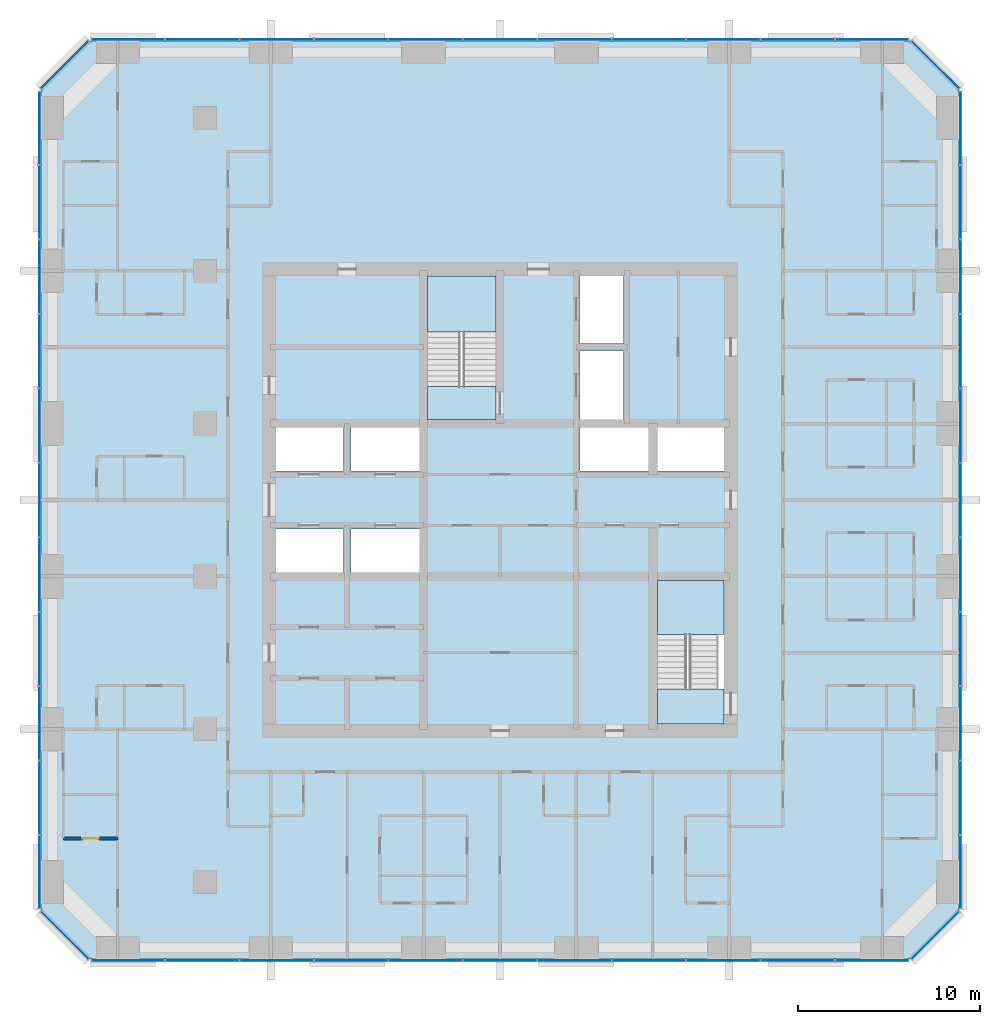
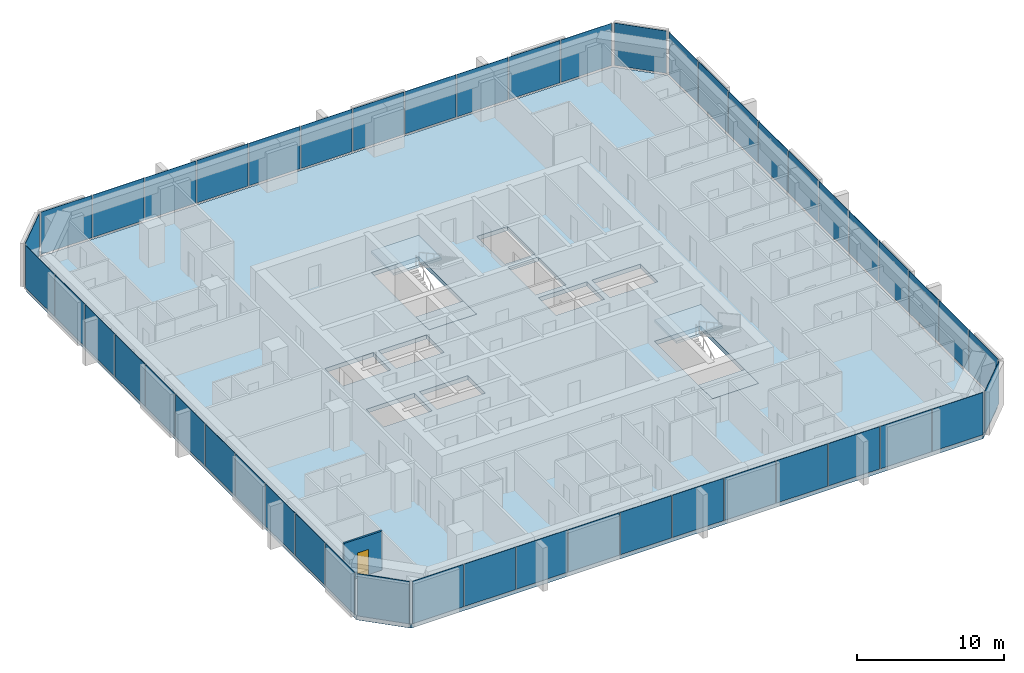
# One storey, part 7 of 14: 48 plates, 5 slabs, 1 door, 1 wall, 1 opening, 10 elements without a shape of their own.
"""IFC4 building model written with IfcOpenShell, lengths in metres."""

from ifc_helpers import new_model, si_unit, direction, frame, frame_2d, origin, origin_2d, place, context, subcontext, project, spatial, polyline, rectangle, outline, extrude, material, layer, layer_set, type_object, element, fill, aggregate, save


model = new_model("IFC4")

# Units and contexts
model_context = context("Model", 3, precision=1e-05, world=origin(), true_north=direction((0.0, 1.0)))
body_context = subcontext(model_context, "Body", "Model", "MODEL_VIEW")
ifc_project = project(units=[si_unit("LENGTHUNIT", "METRE"), si_unit("AREAUNIT", "SQUARE_METRE"), si_unit("VOLUMEUNIT", "CUBIC_METRE"), si_unit("PLANEANGLEUNIT", "RADIAN"), si_unit("MASSUNIT", "GRAM", prefix="KILO")], contexts=[model_context])

# Site, building, storey
site_placement = place(None, origin())
site = spatial("IfcSite", under=ifc_project, at=site_placement, CompositionType="ELEMENT")
building_placement = place(site_placement, origin())
building = spatial("IfcBuilding", under=site, at=building_placement, Name="Dunama Terrace Hotel", CompositionType="ELEMENT")
storey_placement = place(building_placement, frame((0.0, 0.0, 177.0)))
storey = spatial("IfcBuildingStorey", under=building, at=storey_placement, Name="L45", CompositionType="ELEMENT", Elevation=177.0)

# Curtain wall, plates
ifc_material_1 = material(Name="Aluminium curtain wall system", Category="aluminium")
curtain_wall_type = type_object("IfcCurtainWallType", Name="Unitised fritted glass wall CW-C", PredefinedType="NOTDEFINED", material=ifc_material_1)
curtain_wall_1_placement = place(storey_placement, origin())
curtain_wall_1 = element("IfcCurtainWall", 1, at=curtain_wall_1_placement, inside=storey, type_object=curtain_wall_type, Name="Unitised fritted glass wall CW-C L45", PredefinedType="NOTDEFINED")
ifc_material_2 = material(Name="Laminated glass", Category="glass")
ifc_layer_1 = layer(ifc_material_2, 0.031982421875)
ifc_layer_set_1 = layer_set([ifc_layer_1], Name="CWC clear glass panel")
plate_type_1 = type_object("IfcPlateType", Name="CWC clear glass panel", PredefinedType="CURTAIN_PANEL", material=ifc_layer_set_1)
plate_1_placement = place(storey_placement, frame((17.126953125, 4.10009765625, 0.080078125), z_axis=(0.0, 0.0, 1.0), x_axis=(1.0, 0.0, 0.0)))
plate_1 = element("IfcPlate", 2, at=plate_1_placement, type_object=plate_type_1, Name="CWC clear glass panel", PredefinedType="CURTAIN_PANEL", context=body_context, shape_type="SweptSolid", body=[
    extrude(rectangle(XDim=4.02099609375, YDim=0.031982421875, at=origin_2d()), origin(), (0.0, 0.0, 1.0), 3.52001953125),
])
plate_2_placement = place(storey_placement, frame((29.39990234375, 4.10009765625, 0.080078125), z_axis=(0.0, 0.0, 1.0), x_axis=(1.0, 0.0, 0.0)))
plate_2 = element("IfcPlate", 3, at=plate_2_placement, type_object=plate_type_1, Name="CWC clear glass panel", PredefinedType="CURTAIN_PANEL", context=body_context, shape_type="SweptSolid", body=[
    extrude(rectangle(XDim=4.02099609375, YDim=0.031982421875, at=origin_2d()), origin(), (0.0, 0.0, 1.0), 3.52001953125),
])
plate_3_placement = place(storey_placement, frame((41.673095703125, 4.10009765625, 0.080078125), z_axis=(0.0, 0.0, 1.0), x_axis=(1.0, 0.0, 0.0)))
plate_3 = element("IfcPlate", 4, at=plate_3_placement, type_object=plate_type_1, Name="CWC clear glass panel", PredefinedType="CURTAIN_PANEL", context=body_context, shape_type="SweptSolid", body=[
    extrude(rectangle(XDim=4.02099609375, YDim=0.031982421875, at=origin_2d()), origin(), (0.0, 0.0, 1.0), 3.52001953125),
])

# Curtain wall, plate
curtain_wall_2_placement = place(storey_placement, origin())
curtain_wall_2 = element("IfcCurtainWall", 5, at=curtain_wall_2_placement, inside=storey, type_object=curtain_wall_type, Name="Unitised fritted glass wall CW-C L45", PredefinedType="NOTDEFINED")
plate_4_placement = place(storey_placement, frame((53.321044921875, 5.47900390625, 0.080078125), z_axis=(0.0, 0.0, 1.0), x_axis=(0.707106781187, 0.707106781187, 0.0)))
plate_4 = element("IfcPlate", 6, at=plate_4_placement, type_object=plate_type_1, Name="CWC clear glass panel", PredefinedType="CURTAIN_PANEL", context=body_context, shape_type="SweptSolid", body=[
    extrude(rectangle(XDim=3.678466796875, YDim=0.031982421875, at=origin_2d()), origin(), (0.0, 0.0, 1.0), 3.52001953125),
])
aggregate(curtain_wall_2, [plate_4])

# Curtain wall, plates
curtain_wall_3_placement = place(storey_placement, origin())
curtain_wall_3 = element("IfcCurtainWall", 7, at=curtain_wall_3_placement, inside=storey, type_object=curtain_wall_type, Name="Unitised fritted glass wall CW-C L45", PredefinedType="NOTDEFINED")
plate_5_placement = place(storey_placement, frame((54.699951171875, 17.126953125, 0.080078125), z_axis=(0.0, 0.0, 1.0), x_axis=(0.0, 1.0, 0.0)))
plate_5 = element("IfcPlate", 8, at=plate_5_placement, type_object=plate_type_1, Name="CWC clear glass panel", PredefinedType="CURTAIN_PANEL", context=body_context, shape_type="SweptSolid", body=[
    extrude(rectangle(XDim=4.02099609375, YDim=0.031982421875, at=origin_2d()), origin(), (0.0, 0.0, 1.0), 3.52001953125),
])
plate_6_placement = place(storey_placement, frame((54.699951171875, 29.39990234375, 0.080078125), z_axis=(0.0, 0.0, 1.0), x_axis=(0.0, 1.0, 0.0)))
plate_6 = element("IfcPlate", 9, at=plate_6_placement, type_object=plate_type_1, Name="CWC clear glass panel", PredefinedType="CURTAIN_PANEL", context=body_context, shape_type="SweptSolid", body=[
    extrude(rectangle(XDim=4.02099609375, YDim=0.031982421875, at=origin_2d()), origin(), (0.0, 0.0, 1.0), 3.52001953125),
])
plate_7_placement = place(storey_placement, frame((54.699951171875, 41.673095703125, 0.080078125), z_axis=(0.0, 0.0, 1.0), x_axis=(0.0, 1.0, 0.0)))
plate_7 = element("IfcPlate", 10, at=plate_7_placement, type_object=plate_type_1, Name="CWC clear glass panel", PredefinedType="CURTAIN_PANEL", context=body_context, shape_type="SweptSolid", body=[
    extrude(rectangle(XDim=4.02099609375, YDim=0.031982421875, at=origin_2d()), origin(), (0.0, 0.0, 1.0), 3.52001953125),
])

# Curtain wall, plate
curtain_wall_4_placement = place(storey_placement, origin())
curtain_wall_4 = element("IfcCurtainWall", 11, at=curtain_wall_4_placement, inside=storey, type_object=curtain_wall_type, Name="Unitised fritted glass wall CW-C L45", PredefinedType="NOTDEFINED")
plate_8_placement = place(storey_placement, frame((53.321044921875, 53.321044921875, 0.080078125), z_axis=(0.0, 0.0, 1.0), x_axis=(-0.707106781187, 0.707106781187, 0.0)))
plate_8 = element("IfcPlate", 12, at=plate_8_placement, type_object=plate_type_1, Name="CWC clear glass panel", PredefinedType="CURTAIN_PANEL", context=body_context, shape_type="SweptSolid", body=[
    extrude(rectangle(XDim=3.678466796875, YDim=0.031982421875, at=origin_2d()), origin(), (0.0, 0.0, 1.0), 3.52001953125),
])
aggregate(curtain_wall_4, [plate_8])

# Curtain wall, plates
curtain_wall_5_placement = place(storey_placement, origin())
curtain_wall_5 = element("IfcCurtainWall", 13, at=curtain_wall_5_placement, inside=storey, type_object=curtain_wall_type, Name="Unitised fritted glass wall CW-C L45", PredefinedType="NOTDEFINED")
plate_9_placement = place(storey_placement, frame((41.673095703125, 54.699951171875, 0.080078125), z_axis=(0.0, 0.0, 1.0), x_axis=(-1.0, 0.0, 0.0)))
plate_9 = element("IfcPlate", 14, at=plate_9_placement, type_object=plate_type_1, Name="CWC clear glass panel", PredefinedType="CURTAIN_PANEL", context=body_context, shape_type="SweptSolid", body=[
    extrude(rectangle(XDim=4.02099609375, YDim=0.031982421875, at=origin_2d()), origin(), (0.0, 0.0, 1.0), 3.52001953125),
])
plate_10_placement = place(storey_placement, frame((29.39990234375, 54.699951171875, 0.080078125), z_axis=(0.0, 0.0, 1.0), x_axis=(-1.0, 0.0, 0.0)))
plate_10 = element("IfcPlate", 15, at=plate_10_placement, type_object=plate_type_1, Name="CWC clear glass panel", PredefinedType="CURTAIN_PANEL", context=body_context, shape_type="SweptSolid", body=[
    extrude(rectangle(XDim=4.02099609375, YDim=0.031982421875, at=origin_2d()), origin(), (0.0, 0.0, 1.0), 3.52001953125),
])
plate_11_placement = place(storey_placement, frame((17.126953125, 54.699951171875, 0.080078125), z_axis=(0.0, 0.0, 1.0), x_axis=(-1.0, 0.0, 0.0)))
plate_11 = element("IfcPlate", 16, at=plate_11_placement, type_object=plate_type_1, Name="CWC clear glass panel", PredefinedType="CURTAIN_PANEL", context=body_context, shape_type="SweptSolid", body=[
    extrude(rectangle(XDim=4.02099609375, YDim=0.031982421875, at=origin_2d()), origin(), (0.0, 0.0, 1.0), 3.52001953125),
])

# Curtain wall, plate
curtain_wall_6_placement = place(storey_placement, origin())
curtain_wall_6 = element("IfcCurtainWall", 17, at=curtain_wall_6_placement, inside=storey, type_object=curtain_wall_type, Name="Unitised fritted glass wall CW-C L45", PredefinedType="NOTDEFINED")
plate_12_placement = place(storey_placement, frame((5.47900390625, 53.321044921875, 0.080078125), z_axis=(0.0, 0.0, 1.0), x_axis=(-0.707106781187, -0.707106781187, 0.0)))
plate_12 = element("IfcPlate", 18, at=plate_12_placement, type_object=plate_type_1, Name="CWC clear glass panel", PredefinedType="CURTAIN_PANEL", context=body_context, shape_type="SweptSolid", body=[
    extrude(rectangle(XDim=3.678466796875, YDim=0.031982421875, at=origin_2d()), origin(), (0.0, 0.0, 1.0), 3.52001953125),
])
aggregate(curtain_wall_6, [plate_12])

# Curtain wall, plates
curtain_wall_7_placement = place(storey_placement, origin())
curtain_wall_7 = element("IfcCurtainWall", 19, at=curtain_wall_7_placement, inside=storey, type_object=curtain_wall_type, Name="Unitised fritted glass wall CW-C L45", PredefinedType="NOTDEFINED")
plate_13_placement = place(storey_placement, frame((4.10009765625, 41.673095703125, 0.080078125), z_axis=(0.0, 0.0, 1.0), x_axis=(0.0, -1.0, 0.0)))
plate_13 = element("IfcPlate", 20, at=plate_13_placement, type_object=plate_type_1, Name="CWC clear glass panel", PredefinedType="CURTAIN_PANEL", context=body_context, shape_type="SweptSolid", body=[
    extrude(rectangle(XDim=4.02099609375, YDim=0.031982421875, at=origin_2d()), origin(), (0.0, 0.0, 1.0), 3.52001953125),
])
plate_14_placement = place(storey_placement, frame((4.10009765625, 29.39990234375, 0.080078125), z_axis=(0.0, 0.0, 1.0), x_axis=(0.0, -1.0, 0.0)))
plate_14 = element("IfcPlate", 21, at=plate_14_placement, type_object=plate_type_1, Name="CWC clear glass panel", PredefinedType="CURTAIN_PANEL", context=body_context, shape_type="SweptSolid", body=[
    extrude(rectangle(XDim=4.02099609375, YDim=0.031982421875, at=origin_2d()), origin(), (0.0, 0.0, 1.0), 3.52001953125),
])
plate_15_placement = place(storey_placement, frame((4.10009765625, 17.126953125, 0.080078125), z_axis=(0.0, 0.0, 1.0), x_axis=(0.0, -1.0, 0.0)))
plate_15 = element("IfcPlate", 22, at=plate_15_placement, type_object=plate_type_1, Name="CWC clear glass panel", PredefinedType="CURTAIN_PANEL", context=body_context, shape_type="SweptSolid", body=[
    extrude(rectangle(XDim=4.02099609375, YDim=0.031982421875, at=origin_2d()), origin(), (0.0, 0.0, 1.0), 3.52001953125),
])

# Curtain wall, plate
curtain_wall_8_placement = place(storey_placement, origin())
curtain_wall_8 = element("IfcCurtainWall", 23, at=curtain_wall_8_placement, inside=storey, type_object=curtain_wall_type, Name="Unitised fritted glass wall CW-C L45", PredefinedType="NOTDEFINED")
plate_16_placement = place(storey_placement, frame((5.47900390625, 5.47900390625, 0.080078125), z_axis=(0.0, 0.0, 1.0), x_axis=(0.707106781187, -0.707106781187, 0.0)))
plate_16 = element("IfcPlate", 24, at=plate_16_placement, type_object=plate_type_1, Name="CWC clear glass panel", PredefinedType="CURTAIN_PANEL", context=body_context, shape_type="SweptSolid", body=[
    extrude(rectangle(XDim=3.678466796875, YDim=0.031982421875, at=origin_2d()), origin(), (0.0, 0.0, 1.0), 3.52001953125),
])
aggregate(curtain_wall_8, [plate_16])

# Plate
ifc_material_3 = material(Name="Fritted laminated glass", Category="glass")
ifc_layer_2 = layer(ifc_material_3, 0.031982421875)
ifc_layer_set_2 = layer_set([ifc_layer_2], Name="CWC fritted glass panel")
plate_type_2 = type_object("IfcPlateType", Name="CWC fritted glass panel", PredefinedType="CURTAIN_PANEL", material=ifc_layer_set_2)
plate_17_placement = place(storey_placement, frame((13.035888671875, 4.10009765625, 0.080078125), z_axis=(0.0, 0.0, 1.0), x_axis=(1.0, 0.0, 0.0)))
plate_17 = element("IfcPlate", 25, at=plate_17_placement, type_object=plate_type_2, Name="CWC fritted glass panel", PredefinedType="CURTAIN_PANEL", context=body_context, shape_type="SweptSolid", body=[
    extrude(rectangle(XDim=4.02099609375, YDim=0.031982421875, at=origin_2d()), origin(), (0.0, 0.0, 1.0), 3.52001953125),
])

plate_18_placement = place(storey_placement, frame((25.30908203125, 4.10009765625, 0.080078125), z_axis=(0.0, 0.0, 1.0), x_axis=(1.0, 0.0, 0.0)))
plate_18 = element("IfcPlate", 26, at=plate_18_placement, type_object=plate_type_2, Name="CWC fritted glass panel", PredefinedType="CURTAIN_PANEL", context=body_context, shape_type="SweptSolid", body=[
    extrude(rectangle(XDim=4.02099609375, YDim=0.031982421875, at=origin_2d()), origin(), (0.0, 0.0, 1.0), 3.52001953125),
])

plate_19_placement = place(storey_placement, frame((37.58203125, 4.10009765625, 0.080078125), z_axis=(0.0, 0.0, 1.0), x_axis=(1.0, 0.0, 0.0)))
plate_19 = element("IfcPlate", 27, at=plate_19_placement, type_object=plate_type_2, Name="CWC fritted glass panel", PredefinedType="CURTAIN_PANEL", context=body_context, shape_type="SweptSolid", body=[
    extrude(rectangle(XDim=4.02099609375, YDim=0.031982421875, at=origin_2d()), origin(), (0.0, 0.0, 1.0), 3.52001953125),
])

plate_20_placement = place(storey_placement, frame((49.8369140625, 4.10009765625, 0.080078125), z_axis=(0.0, 0.0, 1.0), x_axis=(1.0, 0.0, 0.0)))
plate_20 = element("IfcPlate", 28, at=plate_20_placement, type_object=plate_type_2, Name="CWC fritted glass panel", PredefinedType="CURTAIN_PANEL", context=body_context, shape_type="SweptSolid", body=[
    extrude(rectangle(XDim=3.98583984375, YDim=0.031982421875, at=origin_2d()), origin(), (0.0, 0.0, 1.0), 3.52001953125),
])

plate_21_placement = place(storey_placement, frame((54.699951171875, 13.035888671875, 0.080078125), z_axis=(0.0, 0.0, 1.0), x_axis=(0.0, 1.0, 0.0)))
plate_21 = element("IfcPlate", 29, at=plate_21_placement, type_object=plate_type_2, Name="CWC fritted glass panel", PredefinedType="CURTAIN_PANEL", context=body_context, shape_type="SweptSolid", body=[
    extrude(rectangle(XDim=4.02099609375, YDim=0.031982421875, at=origin_2d()), origin(), (0.0, 0.0, 1.0), 3.52001953125),
])

plate_22_placement = place(storey_placement, frame((54.699951171875, 25.30908203125, 0.080078125), z_axis=(0.0, 0.0, 1.0), x_axis=(0.0, 1.0, 0.0)))
plate_22 = element("IfcPlate", 30, at=plate_22_placement, type_object=plate_type_2, Name="CWC fritted glass panel", PredefinedType="CURTAIN_PANEL", context=body_context, shape_type="SweptSolid", body=[
    extrude(rectangle(XDim=4.02099609375, YDim=0.031982421875, at=origin_2d()), origin(), (0.0, 0.0, 1.0), 3.52001953125),
])

plate_23_placement = place(storey_placement, frame((54.699951171875, 37.58203125, 0.080078125), z_axis=(0.0, 0.0, 1.0), x_axis=(0.0, 1.0, 0.0)))
plate_23 = element("IfcPlate", 31, at=plate_23_placement, type_object=plate_type_2, Name="CWC fritted glass panel", PredefinedType="CURTAIN_PANEL", context=body_context, shape_type="SweptSolid", body=[
    extrude(rectangle(XDim=4.02099609375, YDim=0.031982421875, at=origin_2d()), origin(), (0.0, 0.0, 1.0), 3.52001953125),
])

plate_24_placement = place(storey_placement, frame((54.699951171875, 49.8369140625, 0.080078125), z_axis=(0.0, 0.0, 1.0), x_axis=(0.0, 1.0, 0.0)))
plate_24 = element("IfcPlate", 32, at=plate_24_placement, type_object=plate_type_2, Name="CWC fritted glass panel", PredefinedType="CURTAIN_PANEL", context=body_context, shape_type="SweptSolid", body=[
    extrude(rectangle(XDim=3.98583984375, YDim=0.031982421875, at=origin_2d()), origin(), (0.0, 0.0, 1.0), 3.52001953125),
])

plate_25_placement = place(storey_placement, frame((45.763916015625, 54.699951171875, 0.080078125), z_axis=(0.0, 0.0, 1.0), x_axis=(-1.0, 0.0, 0.0)))
plate_25 = element("IfcPlate", 33, at=plate_25_placement, type_object=plate_type_2, Name="CWC fritted glass panel", PredefinedType="CURTAIN_PANEL", context=body_context, shape_type="SweptSolid", body=[
    extrude(rectangle(XDim=4.02099609375, YDim=0.031982421875, at=origin_2d()), origin(), (0.0, 0.0, 1.0), 3.52001953125),
])

plate_26_placement = place(storey_placement, frame((33.490966796875, 54.699951171875, 0.080078125), z_axis=(0.0, 0.0, 1.0), x_axis=(-1.0, 0.0, 0.0)))
plate_26 = element("IfcPlate", 34, at=plate_26_placement, type_object=plate_type_2, Name="CWC fritted glass panel", PredefinedType="CURTAIN_PANEL", context=body_context, shape_type="SweptSolid", body=[
    extrude(rectangle(XDim=4.02099609375, YDim=0.031982421875, at=origin_2d()), origin(), (0.0, 0.0, 1.0), 3.52001953125),
])

plate_27_placement = place(storey_placement, frame((21.218017578125, 54.699951171875, 0.080078125), z_axis=(0.0, 0.0, 1.0), x_axis=(-1.0, 0.0, 0.0)))
plate_27 = element("IfcPlate", 35, at=plate_27_placement, type_object=plate_type_2, Name="CWC fritted glass panel", PredefinedType="CURTAIN_PANEL", context=body_context, shape_type="SweptSolid", body=[
    extrude(rectangle(XDim=4.02099609375, YDim=0.031982421875, at=origin_2d()), origin(), (0.0, 0.0, 1.0), 3.52001953125),
])

plate_28_placement = place(storey_placement, frame((8.962890625, 54.699951171875, 0.080078125), z_axis=(0.0, 0.0, 1.0), x_axis=(-1.0, 0.0, 0.0)))
plate_28 = element("IfcPlate", 36, at=plate_28_placement, type_object=plate_type_2, Name="CWC fritted glass panel", PredefinedType="CURTAIN_PANEL", context=body_context, shape_type="SweptSolid", body=[
    extrude(rectangle(XDim=3.98583984375, YDim=0.031982421875, at=origin_2d()), origin(), (0.0, 0.0, 1.0), 3.52001953125),
])

plate_29_placement = place(storey_placement, frame((4.10009765625, 45.763916015625, 0.080078125), z_axis=(0.0, 0.0, 1.0), x_axis=(0.0, -1.0, 0.0)))
plate_29 = element("IfcPlate", 37, at=plate_29_placement, type_object=plate_type_2, Name="CWC fritted glass panel", PredefinedType="CURTAIN_PANEL", context=body_context, shape_type="SweptSolid", body=[
    extrude(rectangle(XDim=4.02099609375, YDim=0.031982421875, at=origin_2d()), origin(), (0.0, 0.0, 1.0), 3.52001953125),
])

plate_30_placement = place(storey_placement, frame((4.10009765625, 33.490966796875, 0.080078125), z_axis=(0.0, 0.0, 1.0), x_axis=(0.0, -1.0, 0.0)))
plate_30 = element("IfcPlate", 38, at=plate_30_placement, type_object=plate_type_2, Name="CWC fritted glass panel", PredefinedType="CURTAIN_PANEL", context=body_context, shape_type="SweptSolid", body=[
    extrude(rectangle(XDim=4.02099609375, YDim=0.031982421875, at=origin_2d()), origin(), (0.0, 0.0, 1.0), 3.52001953125),
])

plate_31_placement = place(storey_placement, frame((4.10009765625, 21.218017578125, 0.080078125), z_axis=(0.0, 0.0, 1.0), x_axis=(0.0, -1.0, 0.0)))
plate_31 = element("IfcPlate", 39, at=plate_31_placement, type_object=plate_type_2, Name="CWC fritted glass panel", PredefinedType="CURTAIN_PANEL", context=body_context, shape_type="SweptSolid", body=[
    extrude(rectangle(XDim=4.02099609375, YDim=0.031982421875, at=origin_2d()), origin(), (0.0, 0.0, 1.0), 3.52001953125),
])

plate_32_placement = place(storey_placement, frame((4.10009765625, 8.962890625, 0.080078125), z_axis=(0.0, 0.0, 1.0), x_axis=(0.0, -1.0, 0.0)))
plate_32 = element("IfcPlate", 40, at=plate_32_placement, type_object=plate_type_2, Name="CWC fritted glass panel", PredefinedType="CURTAIN_PANEL", context=body_context, shape_type="SweptSolid", body=[
    extrude(rectangle(XDim=3.98583984375, YDim=0.031982421875, at=origin_2d()), origin(), (0.0, 0.0, 1.0), 3.52001953125),
])

ifc_material_4 = material(Name="Laminated glass", Category="glass")
ifc_layer_3 = layer(ifc_material_4, 0.031982421875)
ifc_layer_set_3 = layer_set([ifc_layer_3], Name="CWC operable glass panel")
plate_type_3 = type_object("IfcPlateType", Name="CWC operable glass panel", PredefinedType="CURTAIN_PANEL", material=ifc_layer_set_3)
plate_33_placement = place(storey_placement, frame((8.962890625, 4.10009765625, 0.080078125), z_axis=(0.0, 0.0, 1.0), x_axis=(1.0, 0.0, 0.0)))
plate_33 = element("IfcPlate", 41, at=plate_33_placement, type_object=plate_type_3, Name="CWC operable glass panel", PredefinedType="CURTAIN_PANEL", context=body_context, shape_type="SweptSolid", body=[
    extrude(rectangle(XDim=3.98583984375, YDim=0.031982421875, at=origin_2d()), origin(), (0.0, 0.0, 1.0), 3.52001953125),
])

plate_34_placement = place(storey_placement, frame((21.218017578125, 4.10009765625, 0.080078125), z_axis=(0.0, 0.0, 1.0), x_axis=(1.0, 0.0, 0.0)))
plate_34 = element("IfcPlate", 42, at=plate_34_placement, type_object=plate_type_3, Name="CWC operable glass panel", PredefinedType="CURTAIN_PANEL", context=body_context, shape_type="SweptSolid", body=[
    extrude(rectangle(XDim=4.02099609375, YDim=0.031982421875, at=origin_2d()), origin(), (0.0, 0.0, 1.0), 3.52001953125),
])

plate_35_placement = place(storey_placement, frame((33.490966796875, 4.10009765625, 0.080078125), z_axis=(0.0, 0.0, 1.0), x_axis=(1.0, 0.0, 0.0)))
plate_35 = element("IfcPlate", 43, at=plate_35_placement, type_object=plate_type_3, Name="CWC operable glass panel", PredefinedType="CURTAIN_PANEL", context=body_context, shape_type="SweptSolid", body=[
    extrude(rectangle(XDim=4.02099609375, YDim=0.031982421875, at=origin_2d()), origin(), (0.0, 0.0, 1.0), 3.52001953125),
])

plate_36_placement = place(storey_placement, frame((45.763916015625, 4.10009765625, 0.080078125), z_axis=(0.0, 0.0, 1.0), x_axis=(1.0, 0.0, 0.0)))
plate_36 = element("IfcPlate", 44, at=plate_36_placement, type_object=plate_type_3, Name="CWC operable glass panel", PredefinedType="CURTAIN_PANEL", context=body_context, shape_type="SweptSolid", body=[
    extrude(rectangle(XDim=4.02099609375, YDim=0.031982421875, at=origin_2d()), origin(), (0.0, 0.0, 1.0), 3.52001953125),
])

aggregate(curtain_wall_1, [plate_33, plate_17, plate_1, plate_34, plate_18, plate_2, plate_35, plate_19, plate_3, plate_36, plate_20])

plate_37_placement = place(storey_placement, frame((54.699951171875, 8.962890625, 0.080078125), z_axis=(0.0, 0.0, 1.0), x_axis=(0.0, 1.0, 0.0)))
plate_37 = element("IfcPlate", 45, at=plate_37_placement, type_object=plate_type_3, Name="CWC operable glass panel", PredefinedType="CURTAIN_PANEL", context=body_context, shape_type="SweptSolid", body=[
    extrude(rectangle(XDim=3.98583984375, YDim=0.031982421875, at=origin_2d()), origin(), (0.0, 0.0, 1.0), 3.52001953125),
])

plate_38_placement = place(storey_placement, frame((54.699951171875, 21.218017578125, 0.080078125), z_axis=(0.0, 0.0, 1.0), x_axis=(0.0, 1.0, 0.0)))
plate_38 = element("IfcPlate", 46, at=plate_38_placement, type_object=plate_type_3, Name="CWC operable glass panel", PredefinedType="CURTAIN_PANEL", context=body_context, shape_type="SweptSolid", body=[
    extrude(rectangle(XDim=4.02099609375, YDim=0.031982421875, at=origin_2d()), origin(), (0.0, 0.0, 1.0), 3.52001953125),
])

plate_39_placement = place(storey_placement, frame((54.699951171875, 33.490966796875, 0.080078125), z_axis=(0.0, 0.0, 1.0), x_axis=(0.0, 1.0, 0.0)))
plate_39 = element("IfcPlate", 47, at=plate_39_placement, type_object=plate_type_3, Name="CWC operable glass panel", PredefinedType="CURTAIN_PANEL", context=body_context, shape_type="SweptSolid", body=[
    extrude(rectangle(XDim=4.02099609375, YDim=0.031982421875, at=origin_2d()), origin(), (0.0, 0.0, 1.0), 3.52001953125),
])

plate_40_placement = place(storey_placement, frame((54.699951171875, 45.763916015625, 0.080078125), z_axis=(0.0, 0.0, 1.0), x_axis=(0.0, 1.0, 0.0)))
plate_40 = element("IfcPlate", 48, at=plate_40_placement, type_object=plate_type_3, Name="CWC operable glass panel", PredefinedType="CURTAIN_PANEL", context=body_context, shape_type="SweptSolid", body=[
    extrude(rectangle(XDim=4.02099609375, YDim=0.031982421875, at=origin_2d()), origin(), (0.0, 0.0, 1.0), 3.52001953125),
])

aggregate(curtain_wall_3, [plate_37, plate_21, plate_5, plate_38, plate_22, plate_6, plate_39, plate_23, plate_7, plate_40, plate_24])

plate_41_placement = place(storey_placement, frame((49.8369140625, 54.699951171875, 0.080078125), z_axis=(0.0, 0.0, 1.0), x_axis=(-1.0, 0.0, 0.0)))
plate_41 = element("IfcPlate", 49, at=plate_41_placement, type_object=plate_type_3, Name="CWC operable glass panel", PredefinedType="CURTAIN_PANEL", context=body_context, shape_type="SweptSolid", body=[
    extrude(rectangle(XDim=3.98583984375, YDim=0.031982421875, at=origin_2d()), origin(), (0.0, 0.0, 1.0), 3.52001953125),
])

plate_42_placement = place(storey_placement, frame((37.58203125, 54.699951171875, 0.080078125), z_axis=(0.0, 0.0, 1.0), x_axis=(-1.0, 0.0, 0.0)))
plate_42 = element("IfcPlate", 50, at=plate_42_placement, type_object=plate_type_3, Name="CWC operable glass panel", PredefinedType="CURTAIN_PANEL", context=body_context, shape_type="SweptSolid", body=[
    extrude(rectangle(XDim=4.02099609375, YDim=0.031982421875, at=origin_2d()), origin(), (0.0, 0.0, 1.0), 3.52001953125),
])

plate_43_placement = place(storey_placement, frame((25.30908203125, 54.699951171875, 0.080078125), z_axis=(0.0, 0.0, 1.0), x_axis=(-1.0, 0.0, 0.0)))
plate_43 = element("IfcPlate", 51, at=plate_43_placement, type_object=plate_type_3, Name="CWC operable glass panel", PredefinedType="CURTAIN_PANEL", context=body_context, shape_type="SweptSolid", body=[
    extrude(rectangle(XDim=4.02099609375, YDim=0.031982421875, at=origin_2d()), origin(), (0.0, 0.0, 1.0), 3.52001953125),
])

plate_44_placement = place(storey_placement, frame((13.035888671875, 54.699951171875, 0.080078125), z_axis=(0.0, 0.0, 1.0), x_axis=(-1.0, 0.0, 0.0)))
plate_44 = element("IfcPlate", 52, at=plate_44_placement, type_object=plate_type_3, Name="CWC operable glass panel", PredefinedType="CURTAIN_PANEL", context=body_context, shape_type="SweptSolid", body=[
    extrude(rectangle(XDim=4.02099609375, YDim=0.031982421875, at=origin_2d()), origin(), (0.0, 0.0, 1.0), 3.52001953125),
])

aggregate(curtain_wall_5, [plate_41, plate_25, plate_9, plate_42, plate_26, plate_10, plate_43, plate_27, plate_11, plate_44, plate_28])

plate_45_placement = place(storey_placement, frame((4.10009765625, 49.8369140625, 0.080078125), z_axis=(0.0, 0.0, 1.0), x_axis=(0.0, -1.0, 0.0)))
plate_45 = element("IfcPlate", 53, at=plate_45_placement, type_object=plate_type_3, Name="CWC operable glass panel", PredefinedType="CURTAIN_PANEL", context=body_context, shape_type="SweptSolid", body=[
    extrude(rectangle(XDim=3.98583984375, YDim=0.031982421875, at=origin_2d()), origin(), (0.0, 0.0, 1.0), 3.52001953125),
])

plate_46_placement = place(storey_placement, frame((4.10009765625, 37.58203125, 0.080078125), z_axis=(0.0, 0.0, 1.0), x_axis=(0.0, -1.0, 0.0)))
plate_46 = element("IfcPlate", 54, at=plate_46_placement, type_object=plate_type_3, Name="CWC operable glass panel", PredefinedType="CURTAIN_PANEL", context=body_context, shape_type="SweptSolid", body=[
    extrude(rectangle(XDim=4.02099609375, YDim=0.031982421875, at=origin_2d()), origin(), (0.0, 0.0, 1.0), 3.52001953125),
])

plate_47_placement = place(storey_placement, frame((4.10009765625, 25.30908203125, 0.080078125), z_axis=(0.0, 0.0, 1.0), x_axis=(0.0, -1.0, 0.0)))
plate_47 = element("IfcPlate", 55, at=plate_47_placement, type_object=plate_type_3, Name="CWC operable glass panel", PredefinedType="CURTAIN_PANEL", context=body_context, shape_type="SweptSolid", body=[
    extrude(rectangle(XDim=4.02099609375, YDim=0.031982421875, at=origin_2d()), origin(), (0.0, 0.0, 1.0), 3.52001953125),
])

plate_48_placement = place(storey_placement, frame((4.10009765625, 13.035888671875, 0.080078125), z_axis=(0.0, 0.0, 1.0), x_axis=(0.0, -1.0, 0.0)))
plate_48 = element("IfcPlate", 56, at=plate_48_placement, type_object=plate_type_3, Name="CWC operable glass panel", PredefinedType="CURTAIN_PANEL", context=body_context, shape_type="SweptSolid", body=[
    extrude(rectangle(XDim=4.02099609375, YDim=0.031982421875, at=origin_2d()), origin(), (0.0, 0.0, 1.0), 3.52001953125),
])

aggregate(curtain_wall_7, [plate_45, plate_29, plate_13, plate_46, plate_30, plate_14, plate_47, plate_31, plate_15, plate_48, plate_32])

# Slab
ifc_material_5 = material(Name="Concrete C40/50", Category="concrete")
ifc_layer_4 = layer(ifc_material_5, 0.35009765625)
ifc_layer_set_4 = layer_set([ifc_layer_4], Name="Flat plate 350")
slab_type_1 = type_object("IfcSlabType", Name="Flat plate 350", PredefinedType="FLOOR", material=ifc_layer_set_4)
slab_1_placement = place(storey_placement, frame((0.0, 0.0, -0.35009765625)))
element("IfcSlab", 57, at=slab_1_placement, inside=storey, type_object=slab_type_1, Name="Floor slab L45", PredefinedType="FLOOR", context=body_context, shape_type="SweptSolid", body=[
    extrude(outline(polyline([(6.89990234375, 4.199951171875), (51.89990234375, 4.199951171875), (54.60009765625, 6.89990234375), (54.60009765625, 51.89990234375), (51.89990234375, 54.60009765625), (6.89990234375, 54.60009765625), (4.199951171875, 51.89990234375), (4.199951171875, 6.89990234375), (6.89990234375, 4.199951171875)]), holes=[polyline([(20.800048828125, 25.39990234375), (20.800048828125, 27.800048828125), (17.0, 27.800048828125), (17.0, 25.39990234375), (20.800048828125, 25.39990234375)]), polyline([(25.0, 25.39990234375), (25.0, 27.800048828125), (21.199951171875, 27.800048828125), (21.199951171875, 25.39990234375), (25.0, 25.39990234375)]), polyline([(20.800048828125, 31.0), (20.800048828125, 33.39990234375), (17.0, 33.39990234375), (17.0, 31.0), (20.800048828125, 31.0)]), polyline([(25.0, 31.0), (25.0, 33.39990234375), (21.199951171875, 33.39990234375), (21.199951171875, 31.0), (25.0, 31.0)]), polyline([(37.60009765625, 31.0), (37.60009765625, 33.39990234375), (33.800048828125, 33.39990234375), (33.800048828125, 31.0), (37.60009765625, 31.0)]), polyline([(41.800048828125, 31.0), (41.800048828125, 33.39990234375), (38.0, 33.39990234375), (38.0, 31.0), (41.800048828125, 31.0)]), polyline([(36.199951171875, 38.0), (36.199951171875, 41.800048828125), (33.800048828125, 41.800048828125), (33.800048828125, 38.0), (36.199951171875, 38.0)]), polyline([(36.199951171875, 33.800048828125), (36.199951171875, 37.60009765625), (33.800048828125, 37.60009765625), (33.800048828125, 33.800048828125), (36.199951171875, 33.800048828125)]), polyline([(29.175048828125, 33.824951171875), (29.175048828125, 41.699951171875), (25.425048828125, 41.699951171875), (25.425048828125, 33.824951171875), (29.175048828125, 33.824951171875)]), polyline([(41.699951171875, 17.10009765625), (41.699951171875, 24.97509765625), (38.050048828125, 24.97509765625), (38.050048828125, 17.10009765625), (41.699951171875, 17.10009765625)])]), origin(), (0.0, 0.0, 1.0), 0.35009765625),
])

# Stair, slabs
ifc_material_6 = material(Name="Concrete C40/50", Category="concrete")
stair_type_1 = type_object("IfcStairType", Name="Stair ST1-3600-1800", PredefinedType="HALF_TURN_STAIR", material=ifc_material_6)
stair_1_placement = place(storey_placement, origin())
stair_1 = element("IfcStair", 58, at=stair_1_placement, inside=storey, type_object=stair_type_1, Name="Stair ST1 L45", PredefinedType="HALF_TURN_STAIR")
ifc_material_7 = material(Name="Concrete C40/50", Category="concrete")
ifc_layer_5 = layer(ifc_material_7, 0.199951171875)
ifc_layer_set_5 = layer_set([ifc_layer_5], Name="Stair landing 200")
slab_type_2 = type_object("IfcSlabType", Name="Stair landing 200", PredefinedType="LANDING", material=ifc_layer_set_5)
slab_2_placement = place(storey_placement, frame((0.0, 0.0, -0.199951171875)))
slab_2 = element("IfcSlab", 59, at=slab_2_placement, type_object=slab_type_2, Name="ST1 landing 1, type S10", PredefinedType="LANDING", context=body_context, shape_type="SweptSolid", body=[
    extrude(outline(polyline([(25.425048828125, 33.824951171875), (29.175048828125, 33.824951171875), (29.175048828125, 35.625), (25.425048828125, 35.625), (25.425048828125, 33.824951171875)])), origin(), (0.0, 0.0, 1.0), 0.199951171875),
])
slab_3_placement = place(storey_placement, frame((0.0, 0.0, 1.60009765625)))
slab_3 = element("IfcSlab", 60, at=slab_3_placement, type_object=slab_type_2, Name="ST1 landing 2, type S10", PredefinedType="LANDING", context=body_context, shape_type="SweptSolid", body=[
    extrude(outline(polyline([(25.425048828125, 38.625), (29.175048828125, 38.625), (29.175048828125, 41.699951171875), (25.425048828125, 41.699951171875), (25.425048828125, 38.625)])), origin(), (0.0, 0.0, 1.0), 0.199951171875),
])
aggregate(stair_1, [slab_2, slab_3])

ifc_material_8 = material(Name="Concrete C40/50", Category="concrete")
stair_type_2 = type_object("IfcStairType", Name="Stair ST2-3600-1600", PredefinedType="HALF_TURN_STAIR", material=ifc_material_8)
stair_2_placement = place(storey_placement, origin())
stair_2 = element("IfcStair", 61, at=stair_2_placement, inside=storey, type_object=stair_type_2, Name="Stair ST2 L45", PredefinedType="HALF_TURN_STAIR")
slab_4_placement = place(storey_placement, frame((0.0, 0.0, -0.199951171875)))
slab_4 = element("IfcSlab", 62, at=slab_4_placement, type_object=slab_type_2, Name="ST2 landing 1, type S10", PredefinedType="LANDING", context=body_context, shape_type="SweptSolid", body=[
    extrude(outline(polyline([(38.050048828125, 17.10009765625), (41.699951171875, 17.10009765625), (41.699951171875, 19.0), (38.050048828125, 19.0), (38.050048828125, 17.10009765625)])), origin(), (0.0, 0.0, 1.0), 0.199951171875),
])
slab_5_placement = place(storey_placement, frame((0.0, 0.0, 1.60009765625)))
slab_5 = element("IfcSlab", 63, at=slab_5_placement, type_object=slab_type_2, Name="ST2 landing 2, type S10", PredefinedType="LANDING", context=body_context, shape_type="SweptSolid", body=[
    extrude(outline(polyline([(38.050048828125, 22.0), (41.699951171875, 22.0), (41.699951171875, 24.97509765625), (38.050048828125, 24.97509765625), (38.050048828125, 22.0)])), origin(), (0.0, 0.0, 1.0), 0.199951171875),
])
aggregate(stair_2, [slab_4, slab_5])

# Wall, opening, door
ifc_material_9 = material(Name="Gypsum board partition", Category="masonry")
ifc_layer_6 = layer(ifc_material_9, 0.14990234375)
ifc_layer_set_6 = layer_set([ifc_layer_6], Name="Room partition 150")
wall_type = type_object("IfcWallType", Name="Room partition 150", PredefinedType="PARTITIONING", material=ifc_layer_set_6)
wall_placement = place(storey_placement, frame((5.39990234375, 10.800048828125, 0.0), z_axis=(0.0, 0.0, 1.0), x_axis=(1.0, 0.0, 0.0)))
wall = element("IfcWall", 64, at=wall_placement, inside=storey, type_object=wall_type, Name="Room partition 150 L45", PredefinedType="PARTITIONING", context=body_context, shape_type="SweptSolid", body=[
    extrude(rectangle(XDim=3.0, YDim=0.14990234375, at=frame_2d((1.5, 0.0))), origin(), (0.0, 0.0, 1.0), 3.25),
])
opening_placement = place(wall_placement, frame((1.050048828125, 0.0, 0.0)))
opening = element("IfcOpeningElement", 65, at=opening_placement, cuts=wall, Name="Opening L45-056", PredefinedType="OPENING", context=body_context, shape_type="SweptSolid", body=[
    extrude(rectangle(XDim=0.89990234375, YDim=2.10009765625, at=frame_2d((0.449951171875, 1.050048828125))), frame((0.0, 0.0849609375, 0.0), z_axis=(0.0, -1.0, 0.0), x_axis=(1.0, 0.0, 0.0)), (0.0, 0.0, 1.0), 0.169921875),
])
ifc_material_10 = material(Name="Timber door with steel frame", Category="steel")
door_type = type_object("IfcDoorType", Name="Suite internal door 900", OperationType="SINGLE_SWING_LEFT", PredefinedType="DOOR", material=ifc_material_10)
door_placement = place(opening_placement, origin())
door = element("IfcDoor", 66, at=door_placement, inside=storey, type_object=door_type, Name="Door to dressing room L45-056, type D16", OperationType="SINGLE_SWING_LEFT", OverallHeight=2.10009765625, OverallWidth=0.89990234375, PredefinedType="DOOR", context=body_context, shape_type="SweptSolid", body=[
    extrude(rectangle(XDim=0.89990234375, YDim=2.10009765625, at=frame_2d((0.449951171875, 1.050048828125))), frame((0.0, 0.02490234375, 0.0), z_axis=(0.0, -1.0, 0.0), x_axis=(1.0, 0.0, 0.0)), (0.0, 0.0, 1.0), 0.050048828125),
])
fill(opening, door)

save(model, "model.ifc")
